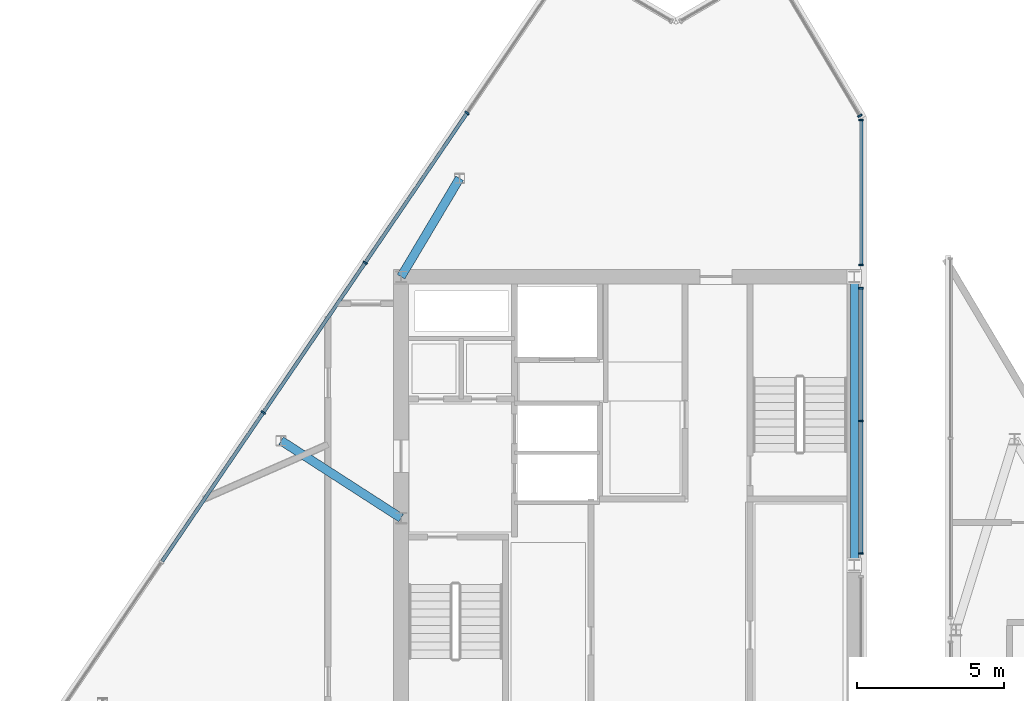
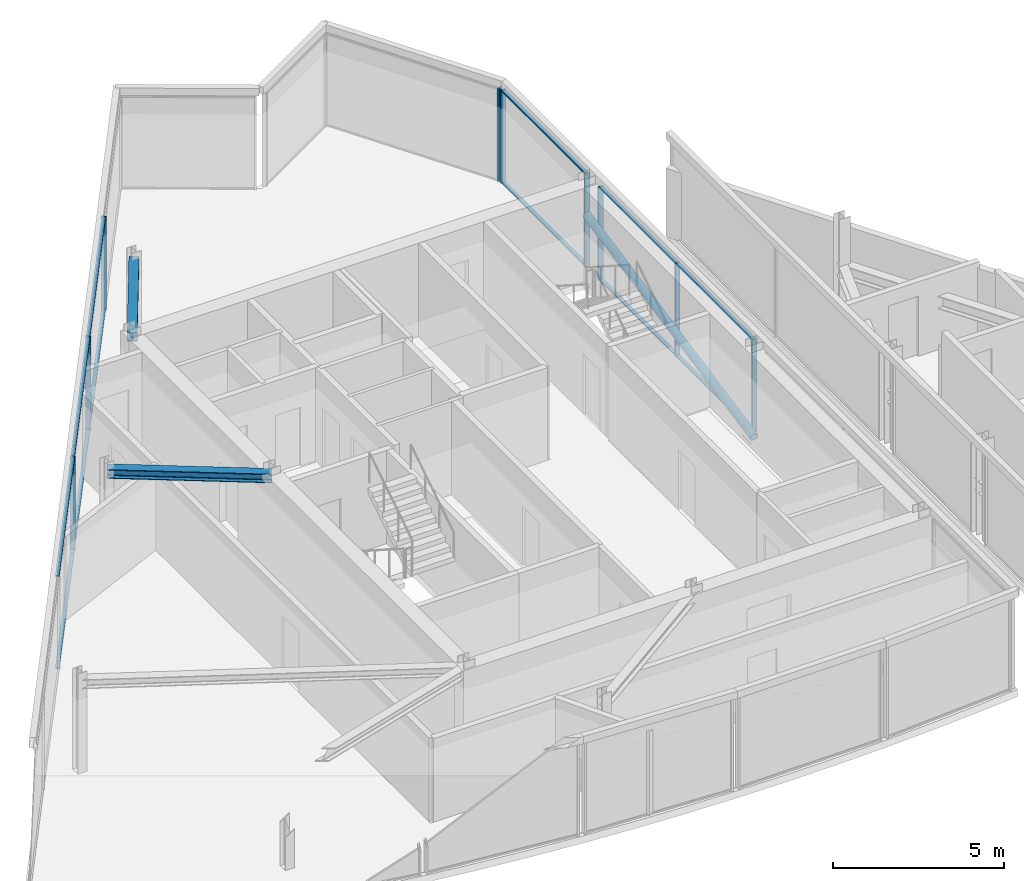
# One storey, part 4 of 13: 22 members, 2 beams, 4 elements without a shape of their own.
"""IFC4 building model written with IfcOpenShell, lengths in metres."""

from ifc_helpers import new_model, si_unit, direction, frame, origin, origin_2d, place, context, subcontext, project, spatial, rectangle, hollow_circle, i_section, extrude, material, material_profile, profile_set, type_object, element, aggregate, save


model = new_model("IFC4")

# Units and contexts
model_context = context("Model", 3, precision=1e-05, world=origin(), true_north=direction((0.0, 1.0)))
body_context = subcontext(model_context, "Body", "Model", "MODEL_VIEW")
ifc_project = project(units=[si_unit("LENGTHUNIT", "METRE"), si_unit("AREAUNIT", "SQUARE_METRE"), si_unit("VOLUMEUNIT", "CUBIC_METRE"), si_unit("PLANEANGLEUNIT", "RADIAN"), si_unit("MASSUNIT", "GRAM", prefix="KILO")], contexts=[model_context])

# Site, building, storey
site_placement = place(None, origin())
site = spatial("IfcSite", under=ifc_project, at=site_placement, CompositionType="ELEMENT")
building_placement = place(site_placement, origin())
building = spatial("IfcBuilding", under=site, at=building_placement, Name="Savorim Split Tower", CompositionType="ELEMENT")
storey_placement = place(building_placement, frame((0.0, 0.0, 312.0)))
storey = spatial("IfcBuildingStorey", under=building, at=storey_placement, Name="Crown L83 Plant", CompositionType="ELEMENT", Elevation=312.0)

# Beams
ifc_material_1 = material(Name="Steel S355", Category="steel")
ifc_material_profile_1 = material_profile(ifc_material_1, i_section(OverallWidth=0.300048828125, OverallDepth=0.320068359375, WebThickness=0.011474609375, FlangeThickness=0.0205078125, FilletRadius=0.027099609375, at=origin_2d()), Name="HEB 320")
ifc_profile_set_1 = profile_set([ifc_material_profile_1], Name="Steel S355")
beam_type = type_object("IfcBeamType", Name="BM-PRI-HEB320", PredefinedType="BEAM", material=ifc_profile_set_1)
beam_1_placement = place(storey_placement, frame((-11.775390625, 4.626708984375, 3.179931640625), z_axis=(0.840541482681, -0.541747188172, 0.0), x_axis=(0.541747188172, 0.840541482681, 0.0)))
element("IfcBeam", 1, at=beam_1_placement, inside=storey, type_object=beam_type, Name="Crown L83 Plant West Crown Beam WBG-4", PredefinedType="BEAM", context=body_context, shape_type="SweptSolid", body=[
    extrude(i_section(OverallWidth=0.300048828125, OverallDepth=0.320068359375, WebThickness=0.011474609375, FlangeThickness=0.0205078125, FilletRadius=0.027099609375, at=origin_2d()), origin(), (0.0, 0.0, 1.0), 4.8486328125),
])
beam_2_placement = place(storey_placement, frame((-5.710205078125, 13.542236328125, 3.179931640625), z_axis=(-0.511539031423, -0.85926004174, 0.0), x_axis=(0.85926004174, -0.511539031423, 0.0)))
element("IfcBeam", 2, at=beam_2_placement, inside=storey, type_object=beam_type, Name="Crown L83 Plant West Crown Beam WBG-5", PredefinedType="BEAM", context=body_context, shape_type="SweptSolid", body=[
    extrude(i_section(OverallWidth=0.300048828125, OverallDepth=0.320068359375, WebThickness=0.011474609375, FlangeThickness=0.0205078125, FilletRadius=0.027099609375, at=origin_2d()), origin(), (0.0, 0.0, 1.0), 3.8896484375),
])

# Curtain wall, members
ifc_material_2 = material(Name="Dark Ceramic-Fritted Insulated Glass", Category="glass")
curtain_wall_type = type_object("IfcCurtainWallType", Name="CW-CROWN-CREST", PredefinedType="NOTDEFINED", material=ifc_material_2)
curtain_wall_1_placement = place(storey_placement, origin())
curtain_wall_1 = element("IfcCurtainWall", 3, at=curtain_wall_1_placement, inside=storey, type_object=curtain_wall_type, Name="Crown L83 Plant Curtain Wall CW-Crown-L83-Plant-W1AS3", PredefinedType="NOTDEFINED")
ifc_material_3 = material(Name="Charcoal Anodised Aluminium", Category="aluminium")
ifc_material_profile_2 = material_profile(ifc_material_3, rectangle(XDim=0.159912109375, YDim=0.06005859375, at=origin_2d()), Name="ALU-M 160x60")
ifc_profile_set_2 = profile_set([ifc_material_profile_2], Name="Charcoal Anodised Aluminium")
member_type_1 = type_object("IfcMemberType", Name="CWM-160x60", PredefinedType="MULLION", material=ifc_profile_set_2)
member_1_placement = place(storey_placement, frame((7.929931640625, 0.7958984375, 0.0), z_axis=(0.0, 0.0, 1.0), x_axis=(-1.0, 0.0, 0.0)))
member_1 = element("IfcMember", 4, at=member_1_placement, type_object=member_type_1, Name="CW-07 mullion 1", PredefinedType="MULLION", context=body_context, shape_type="SweptSolid", body=[
    extrude(rectangle(XDim=0.159912109375, YDim=0.06005859375, at=origin_2d()), origin(), (0.0, 0.0, 1.0), 3.340087890625),
])
member_2_placement = place(storey_placement, frame((7.929931640625, 5.300048828125, 0.0), z_axis=(0.0, 0.0, 1.0), x_axis=(-1.0, 0.0, 0.0)))
member_2 = element("IfcMember", 5, at=member_2_placement, type_object=member_type_1, Name="CW-07 mullion 2", PredefinedType="MULLION", context=body_context, shape_type="SweptSolid", body=[
    extrude(rectangle(XDim=0.159912109375, YDim=0.06005859375, at=origin_2d()), origin(), (0.0, 0.0, 1.0), 3.340087890625),
])
member_3_placement = place(storey_placement, frame((7.929931640625, 9.803955078125, 0.0), z_axis=(0.0, 0.0, 1.0), x_axis=(-1.0, 0.0, 0.0)))
member_3 = element("IfcMember", 6, at=member_3_placement, type_object=member_type_1, Name="CW-07 mullion 3", PredefinedType="MULLION", context=body_context, shape_type="SweptSolid", body=[
    extrude(rectangle(XDim=0.159912109375, YDim=0.06005859375, at=origin_2d()), origin(), (0.0, 0.0, 1.0), 3.340087890625),
])

curtain_wall_2_placement = place(storey_placement, origin())
curtain_wall_2 = element("IfcCurtainWall", 7, at=curtain_wall_2_placement, inside=storey, type_object=curtain_wall_type, Name="Crown L83 Plant Curtain Wall CW-Crown-L83-Plant-W1AS4", PredefinedType="NOTDEFINED")
member_4_placement = place(storey_placement, frame((7.929931640625, 10.595947265625, 0.0), z_axis=(0.0, 0.0, 1.0), x_axis=(-1.0, 0.0, 0.0)))
member_4 = element("IfcMember", 8, at=member_4_placement, type_object=member_type_1, Name="CW-07 mullion 1", PredefinedType="MULLION", context=body_context, shape_type="SweptSolid", body=[
    extrude(rectangle(XDim=0.159912109375, YDim=0.06005859375, at=origin_2d()), origin(), (0.0, 0.0, 1.0), 3.340087890625),
])
member_5_placement = place(storey_placement, frame((7.929931640625, 15.52490234375, 0.0), z_axis=(0.0, 0.0, 1.0), x_axis=(-1.0, 0.0, 0.0)))
member_5 = element("IfcMember", 9, at=member_5_placement, type_object=member_type_1, Name="CW-07 mullion 2", PredefinedType="MULLION", context=body_context, shape_type="SweptSolid", body=[
    extrude(rectangle(XDim=0.159912109375, YDim=0.06005859375, at=origin_2d()), origin(), (0.0, 0.0, 1.0), 3.340087890625),
])

# Curtain wall, member
curtain_wall_3_placement = place(storey_placement, origin())
curtain_wall_3 = element("IfcCurtainWall", 10, at=curtain_wall_3_placement, inside=storey, type_object=curtain_wall_type, Name="Crown L83 Plant Curtain Wall CW-Crown-L83-Plant-W2A", PredefinedType="NOTDEFINED")
member_6_placement = place(storey_placement, frame((7.890625, 15.66796875, 0.0), z_axis=(0.0, 0.0, 1.0), x_axis=(-0.8595200261, -0.511102068801, 0.0)))
member_6 = element("IfcMember", 11, at=member_6_placement, type_object=member_type_1, Name="CW-07 mullion 1", PredefinedType="MULLION", context=body_context, shape_type="SweptSolid", body=[
    extrude(rectangle(XDim=0.159912109375, YDim=0.06005859375, at=origin_2d()), origin(), (0.0, 0.0, 1.0), 3.340087890625),
])
aggregate(curtain_wall_3, [member_6])

# Curtain wall, members
curtain_wall_4_placement = place(storey_placement, origin())
curtain_wall_4 = element("IfcCurtainWall", 12, at=curtain_wall_4_placement, inside=storey, type_object=curtain_wall_type, Name="Crown L83 Plant Curtain Wall CW-Crown-L83-Plant-W5A", PredefinedType="NOTDEFINED")
member_7_placement = place(storey_placement, frame((-5.45751953125, 15.760009765625, 0.0), z_axis=(0.0, 0.0, 1.0), x_axis=(0.826820757593, -0.562465496553, 0.0)))
member_7 = element("IfcMember", 13, at=member_7_placement, type_object=member_type_1, Name="CW-07 mullion 2", PredefinedType="MULLION", context=body_context, shape_type="SweptSolid", body=[
    extrude(rectangle(XDim=0.159912109375, YDim=0.06005859375, at=origin_2d()), origin(), (0.0, 0.0, 1.0), 3.340087890625),
])
member_8_placement = place(storey_placement, frame((-8.91748046875, 10.674072265625, 0.0), z_axis=(0.0, 0.0, 1.0), x_axis=(0.826820757593, -0.562465496553, 0.0)))
member_8 = element("IfcMember", 14, at=member_8_placement, type_object=member_type_1, Name="CW-07 mullion 3", PredefinedType="MULLION", context=body_context, shape_type="SweptSolid", body=[
    extrude(rectangle(XDim=0.159912109375, YDim=0.06005859375, at=origin_2d()), origin(), (0.0, 0.0, 1.0), 3.340087890625),
])
member_9_placement = place(storey_placement, frame((-12.377197265625, 5.588134765625, 0.0), z_axis=(0.0, 0.0, 1.0), x_axis=(0.826820757593, -0.562465496553, 0.0)))
member_9 = element("IfcMember", 15, at=member_9_placement, type_object=member_type_1, Name="CW-07 mullion 4", PredefinedType="MULLION", context=body_context, shape_type="SweptSolid", body=[
    extrude(rectangle(XDim=0.159912109375, YDim=0.06005859375, at=origin_2d()), origin(), (0.0, 0.0, 1.0), 3.340087890625),
])

# Member
ifc_material_profile_3 = material_profile(ifc_material_3, rectangle(XDim=0.1201171875, YDim=0.050048828125, at=origin_2d()), Name="ALU-T 120x50")
ifc_profile_set_3 = profile_set([ifc_material_profile_3], Name="Charcoal Anodised Aluminium")
member_type_2 = type_object("IfcMemberType", Name="CWT-120x50", PredefinedType="USERDEFINED", material=ifc_profile_set_3)
member_10_placement = place(storey_placement, frame((7.929931640625, 0.825927734375, 0.02490234375), z_axis=(0.0, 1.0, 0.0), x_axis=(-1.0, 0.0, 0.0)))
member_10 = element("IfcMember", 16, at=member_10_placement, type_object=member_type_2, Name="CW-07 transom 1.1", ObjectType="TRANSOM", PredefinedType="USERDEFINED", context=body_context, shape_type="SweptSolid", body=[
    extrude(rectangle(XDim=0.1201171875, YDim=0.050048828125, at=origin_2d()), origin(), (0.0, 0.0, 1.0), 4.444091796875),
])

member_11_placement = place(storey_placement, frame((7.929931640625, 0.825927734375, 3.31494140625), z_axis=(0.0, 1.0, 0.0), x_axis=(-1.0, 0.0, 0.0)))
member_11 = element("IfcMember", 17, at=member_11_placement, type_object=member_type_2, Name="CW-07 transom 1.2", ObjectType="TRANSOM", PredefinedType="USERDEFINED", context=body_context, shape_type="SweptSolid", body=[
    extrude(rectangle(XDim=0.1201171875, YDim=0.050048828125, at=origin_2d()), origin(), (0.0, 0.0, 1.0), 4.444091796875),
])

member_12_placement = place(storey_placement, frame((7.929931640625, 5.330078125, 0.02490234375), z_axis=(0.0, 1.0, 0.0), x_axis=(-1.0, 0.0, 0.0)))
member_12 = element("IfcMember", 18, at=member_12_placement, type_object=member_type_2, Name="CW-07 transom 2.1", ObjectType="TRANSOM", PredefinedType="USERDEFINED", context=body_context, shape_type="SweptSolid", body=[
    extrude(rectangle(XDim=0.1201171875, YDim=0.050048828125, at=origin_2d()), origin(), (0.0, 0.0, 1.0), 4.44384765625),
])

member_13_placement = place(storey_placement, frame((7.929931640625, 5.330078125, 3.31494140625), z_axis=(0.0, 1.0, 0.0), x_axis=(-1.0, 0.0, 0.0)))
member_13 = element("IfcMember", 19, at=member_13_placement, type_object=member_type_2, Name="CW-07 transom 2.2", ObjectType="TRANSOM", PredefinedType="USERDEFINED", context=body_context, shape_type="SweptSolid", body=[
    extrude(rectangle(XDim=0.1201171875, YDim=0.050048828125, at=origin_2d()), origin(), (0.0, 0.0, 1.0), 4.44384765625),
])

aggregate(curtain_wall_1, [member_1, member_2, member_3, member_10, member_11, member_12, member_13])

member_14_placement = place(storey_placement, frame((7.929931640625, 10.6259765625, 0.02490234375), z_axis=(0.0, 1.0, 0.0), x_axis=(-1.0, 0.0, 0.0)))
member_14 = element("IfcMember", 20, at=member_14_placement, type_object=member_type_2, Name="CW-07 transom 1.1", ObjectType="TRANSOM", PredefinedType="USERDEFINED", context=body_context, shape_type="SweptSolid", body=[
    extrude(rectangle(XDim=0.1201171875, YDim=0.050048828125, at=origin_2d()), origin(), (0.0, 0.0, 1.0), 4.868896484375),
])

member_15_placement = place(storey_placement, frame((7.929931640625, 10.6259765625, 3.31494140625), z_axis=(0.0, 1.0, 0.0), x_axis=(-1.0, 0.0, 0.0)))
member_15 = element("IfcMember", 21, at=member_15_placement, type_object=member_type_2, Name="CW-07 transom 1.2", ObjectType="TRANSOM", PredefinedType="USERDEFINED", context=body_context, shape_type="SweptSolid", body=[
    extrude(rectangle(XDim=0.1201171875, YDim=0.050048828125, at=origin_2d()), origin(), (0.0, 0.0, 1.0), 4.868896484375),
])

aggregate(curtain_wall_2, [member_4, member_5, member_14, member_15])

member_16_placement = place(storey_placement, frame((-5.474609375, 15.735107421875, 0.02490234375), z_axis=(-0.562454724878, -0.826828085192, 0.0), x_axis=(0.826828085192, -0.562454724878, 0.0)))
member_16 = element("IfcMember", 22, at=member_16_placement, type_object=member_type_2, Name="CW-07 transom 2.1", ObjectType="TRANSOM", PredefinedType="USERDEFINED", context=body_context, shape_type="SweptSolid", body=[
    extrude(rectangle(XDim=0.1201171875, YDim=0.050048828125, at=origin_2d()), origin(), (0.0, 0.0, 1.0), 6.09130859375),
])

member_17_placement = place(storey_placement, frame((-5.474609375, 15.735107421875, 3.31494140625), z_axis=(-0.562454724878, -0.826828085192, 0.0), x_axis=(0.826828085192, -0.562454724878, 0.0)))
member_17 = element("IfcMember", 23, at=member_17_placement, type_object=member_type_2, Name="CW-07 transom 2.2", ObjectType="TRANSOM", PredefinedType="USERDEFINED", context=body_context, shape_type="SweptSolid", body=[
    extrude(rectangle(XDim=0.1201171875, YDim=0.050048828125, at=origin_2d()), origin(), (0.0, 0.0, 1.0), 6.09130859375),
])

member_18_placement = place(storey_placement, frame((-8.934326171875, 10.649169921875, 0.02490234375), z_axis=(-0.562454724878, -0.826828085192, 0.0), x_axis=(0.826828085192, -0.562454724878, 0.0)))
member_18 = element("IfcMember", 24, at=member_18_placement, type_object=member_type_2, Name="CW-07 transom 3.1", ObjectType="TRANSOM", PredefinedType="USERDEFINED", context=body_context, shape_type="SweptSolid", body=[
    extrude(rectangle(XDim=0.1201171875, YDim=0.050048828125, at=origin_2d()), origin(), (0.0, 0.0, 1.0), 6.09130859375),
])

member_19_placement = place(storey_placement, frame((-8.934326171875, 10.649169921875, 3.31494140625), z_axis=(-0.562454724878, -0.826828085192, 0.0), x_axis=(0.826828085192, -0.562454724878, 0.0)))
member_19 = element("IfcMember", 25, at=member_19_placement, type_object=member_type_2, Name="CW-07 transom 3.2", ObjectType="TRANSOM", PredefinedType="USERDEFINED", context=body_context, shape_type="SweptSolid", body=[
    extrude(rectangle(XDim=0.1201171875, YDim=0.050048828125, at=origin_2d()), origin(), (0.0, 0.0, 1.0), 6.09130859375),
])

member_20_placement = place(storey_placement, frame((-12.394287109375, 5.563232421875, 0.02490234375), z_axis=(-0.562454724878, -0.826828085192, 0.0), x_axis=(0.826828085192, -0.562454724878, 0.0)))
member_20 = element("IfcMember", 26, at=member_20_placement, type_object=member_type_2, Name="CW-07 transom 4.1", ObjectType="TRANSOM", PredefinedType="USERDEFINED", context=body_context, shape_type="SweptSolid", body=[
    extrude(rectangle(XDim=0.1201171875, YDim=0.050048828125, at=origin_2d()), origin(), (0.0, 0.0, 1.0), 6.09130859375),
])

member_21_placement = place(storey_placement, frame((-12.394287109375, 5.563232421875, 3.31494140625), z_axis=(-0.562454724878, -0.826828085192, 0.0), x_axis=(0.826828085192, -0.562454724878, 0.0)))
member_21 = element("IfcMember", 27, at=member_21_placement, type_object=member_type_2, Name="CW-07 transom 4.2", ObjectType="TRANSOM", PredefinedType="USERDEFINED", context=body_context, shape_type="SweptSolid", body=[
    extrude(rectangle(XDim=0.1201171875, YDim=0.050048828125, at=origin_2d()), origin(), (0.0, 0.0, 1.0), 6.09130859375),
])

aggregate(curtain_wall_4, [member_7, member_8, member_9, member_16, member_17, member_18, member_19, member_20, member_21])

ifc_material_profile_4 = material_profile(ifc_material_1, hollow_circle(Radius=0.136474609375, WallThickness=0.01611328125, at=origin_2d()), Name="CHS 273x16")
ifc_profile_set_4 = profile_set([ifc_material_profile_4], Name="Steel S355")
member_type_3 = type_object("IfcMemberType", Name="MBR-CRN-CHS273", PredefinedType="BRACE", material=ifc_profile_set_4)
member_22_placement = place(storey_placement, frame((7.699951171875, 0.39990234375, 0.14990234375), z_axis=(0.0, 0.979804253974, 0.199959055543), x_axis=(-1.0, 0.0, 0.0)))
element("IfcMember", 28, at=member_22_placement, inside=storey, type_object=member_type_3, Name="Crown L83 Plant Split Crown Spine Brace 1", PredefinedType="BRACE", context=body_context, shape_type="SweptSolid", body=[
    extrude(hollow_circle(Radius=0.136474609375, WallThickness=0.01611328125, at=origin_2d()), origin(), (0.0, 0.0, 1.0), 10.001953125),
])

save(model, "model.ifc")
